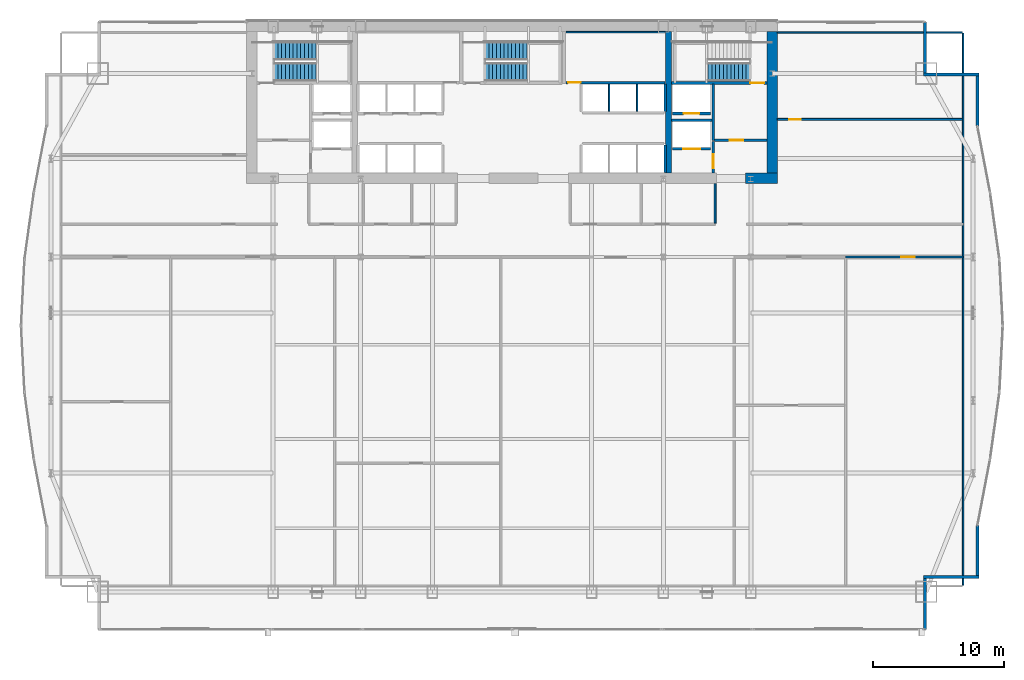
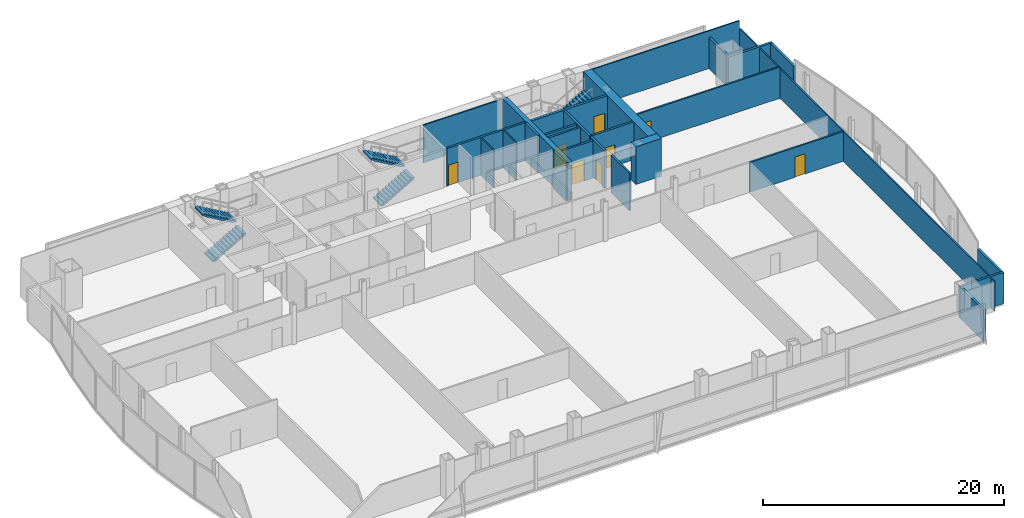
# One storey, part 33 of 37: 27 walls, 8 doors, 5 stair flights, 8 openings, 3 elements without a shape of their own.
"""IFC4 building model written with IfcOpenShell, lengths in metres."""

from ifc_helpers import new_model, si_unit, direction, frame, frame_2d, origin, place, context, subcontext, project, spatial, polyline, rectangle, outline, extrude, material, layer, layer_set, type_object, element, fill, aggregate, save


model = new_model("IFC4")

# Units and contexts
model_context = context("Model", 3, precision=1e-05, world=origin(), true_north=direction((0.0, 1.0)))
body_context = subcontext(model_context, "Body", "Model", "MODEL_VIEW")
ifc_project = project(units=[si_unit("LENGTHUNIT", "METRE"), si_unit("AREAUNIT", "SQUARE_METRE"), si_unit("VOLUMEUNIT", "CUBIC_METRE"), si_unit("PLANEANGLEUNIT", "RADIAN"), si_unit("MASSUNIT", "GRAM", prefix="KILO")], contexts=[model_context])

# Site, building, storey
site_placement = place(None, origin())
site = spatial("IfcSite", under=ifc_project, at=site_placement, CompositionType="ELEMENT")
building_placement = place(site_placement, origin())
building = spatial("IfcBuilding", under=site, at=building_placement, Name="Khoronbel Lancet Exchange", CompositionType="ELEMENT")
storey_placement = place(building_placement, frame((0.0, 0.0, 45.800048828125)))
storey = spatial("IfcBuildingStorey", under=building, at=storey_placement, Name="L10", CompositionType="ELEMENT", Elevation=45.800048828125)

# Walls
ifc_material_1 = material(Name="Concrete C80/95", Category="concrete")
ifc_layer_1 = layer(ifc_material_1, 0.800048828125, Name="Concrete C80/95")
ifc_layer_set_1 = layer_set([ifc_layer_1], Name="Concrete C80/95")
wall_type_1 = type_object("IfcWallType", Name="WL-CW1", PredefinedType="SHEAR", material=ifc_layer_set_1)
wall_1_placement = place(storey_placement, frame((56.300048828125, 52.89990234375, 0.0), z_axis=(0.0, 0.0, 1.0), x_axis=(0.0, -1.0, 0.0)))
element("IfcWall", 1, at=wall_1_placement, inside=storey, type_object=wall_type_1, Name="Level L10 rear core east shear wall", PredefinedType="SHEAR", context=body_context, shape_type="SweptSolid", body=[
    extrude(rectangle(XDim=10.7998046875, YDim=0.800048828125, at=frame_2d((5.39990234375, 0.0))), origin(), (0.0, 0.0, 1.0), 3.820068359375),
])
wall_2_placement = place(storey_placement, frame((56.699951171875, 41.699951171875, 0.0), z_axis=(0.0, 0.0, 1.0), x_axis=(-1.0, 0.0, 0.0)))
element("IfcWall", 2, at=wall_2_placement, inside=storey, type_object=wall_type_1, Name="Level L10 rear core south shear wall pier P5", PredefinedType="SHEAR", context=body_context, shape_type="SweptSolid", body=[
    extrude(rectangle(XDim=2.449951171875, YDim=0.800048828125, at=frame_2d((1.22509765625, 0.0))), origin(), (0.0, 0.0, 1.0), 3.820068359375),
])
ifc_material_2 = material(Name="Precast concrete C40/50", Category="concrete")
ifc_layer_2 = layer(ifc_material_2, 0.25, Name="Precast concrete C40/50")
ifc_layer_set_2 = layer_set([ifc_layer_2], Name="Precast concrete C40/50")
wall_type_2 = type_object("IfcWallType", Name="WL-EXT250", PredefinedType="SOLIDWALL", material=ifc_layer_set_2)
wall_3_placement = place(storey_placement, frame((67.9599609375, 53.6298828125, 0.0), z_axis=(0.0, 0.0, 1.0), x_axis=(0.0, -1.0, 0.0)))
element("IfcWall", 3, at=wall_3_placement, inside=storey, type_object=wall_type_2, Name="Level L10 notched-corner limestone pier 14", PredefinedType="SOLIDWALL", context=body_context, shape_type="SweptSolid", body=[
    extrude(rectangle(XDim=3.909912109375, YDim=0.219970703125, at=frame_2d((1.955078125, 0.0))), origin(), (0.0, 0.0, 1.0), 3.159912109375),
])
wall_4_placement = place(storey_placement, frame((67.85009765625, 49.610107421875, 0.0), z_axis=(0.0, 0.0, 1.0), x_axis=(1.0, 0.0, 0.0)))
element("IfcWall", 4, at=wall_4_placement, inside=storey, type_object=wall_type_2, Name="Level L10 notched-corner limestone pier 15", PredefinedType="SOLIDWALL", context=body_context, shape_type="SweptSolid", body=[
    extrude(rectangle(XDim=4.219970703125, YDim=0.219970703125, at=frame_2d((2.10986328125, 0.0))), origin(), (0.0, 0.0, 1.0), 3.159912109375),
])
for number, where, z_axis, x_axis, name in (
    (5, (71.9599609375, 49.5, 0.0), (0.0, 0.0, 1.0), (0.0, -1.0, 0.0), "Level L10 notched-corner limestone pier 16"),
    (6, (71.9599609375, 15.228515625, 0.0), (0.0, 0.0, 1.0), (0.0, -1.0, 0.0), "Level L10 notched-corner limestone pier 23"),
):
    element("IfcWall", number, at=place(storey_placement, frame(where, z_axis=z_axis, x_axis=x_axis)), inside=storey, type_object=wall_type_2, Name=name, PredefinedType="SOLIDWALL", context=body_context, shape_type="SweptSolid", body=[
        extrude(rectangle(XDim=3.82861328125, YDim=0.219970703125, at=frame_2d((1.914306640625, 0.0))), origin(), (0.0, 0.0, 1.0), 3.159912109375),
    ])
wall_5_placement = place(storey_placement, frame((72.070068359375, 11.2900390625, 0.0), z_axis=(0.0, 0.0, 1.0), x_axis=(-1.0, 0.0, 0.0)))
element("IfcWall", 7, at=wall_5_placement, inside=storey, type_object=wall_type_2, Name="Level L10 notched-corner limestone pier 24", PredefinedType="SOLIDWALL", context=body_context, shape_type="SweptSolid", body=[
    extrude(rectangle(XDim=4.219970703125, YDim=0.219970703125, at=frame_2d((2.10986328125, 0.0))), origin(), (0.0, 0.0, 1.0), 3.159912109375),
])
wall_6_placement = place(storey_placement, frame((67.9599609375, 11.179931640625, 0.0), z_axis=(0.0, 0.0, 1.0), x_axis=(0.0, -1.0, 0.0)))
element("IfcWall", 8, at=wall_6_placement, inside=storey, type_object=wall_type_2, Name="Level L10 notched-corner limestone pier 25", PredefinedType="SOLIDWALL", context=body_context, shape_type="SweptSolid", body=[
    extrude(rectangle(XDim=3.909912109375, YDim=0.219970703125, at=frame_2d((1.955078125, 0.0))), origin(), (0.0, 0.0, 1.0), 3.159912109375),
])
ifc_material_3 = material(Name="Acoustic Metal-Stud & Mineral-Wool Gypsum Partition 120 mm", Category="gypsum")
ifc_layer_3 = layer(ifc_material_3, 0.1201171875, Name="Acoustic Metal-Stud & Mineral-Wool Gypsum Partition 120 mm")
ifc_layer_set_3 = layer_set([ifc_layer_3], Name="Acoustic Metal-Stud & Mineral-Wool Gypsum Partition 120 mm")
wall_type_3 = type_object("IfcWallType", Name="WL-PRT120", PredefinedType="PARTITIONING", material=ifc_layer_set_3)
wall_7_placement = place(storey_placement, frame((51.949951171875, 38.280029296875, 0.0), z_axis=(0.0, 0.0, 1.0), x_axis=(0.0, 1.0, 0.0)))
element("IfcWall", 9, at=wall_7_placement, inside=storey, type_object=wall_type_3, Name="Level L10 interior partition PW-NP-1", PredefinedType="PARTITIONING", context=body_context, shape_type="SweptSolid", body=[
    extrude(rectangle(XDim=3.02001953125, YDim=0.14990234375, at=frame_2d((1.510009765625, 0.0))), origin(), (0.0, 0.0, 1.0), 3.820068359375),
])

# Wall, opening, door
wall_8_placement = place(storey_placement, frame((56.699951171875, 46.199951171875, 0.0), z_axis=(0.0, 0.0, 1.0), x_axis=(1.0, 0.0, 0.0)))
wall_8 = element("IfcWall", 10, at=wall_8_placement, inside=storey, type_object=wall_type_3, Name="Level L10 interior partition PW-NE-H", PredefinedType="PARTITIONING", context=body_context, shape_type="SweptSolid", body=[
    extrude(rectangle(XDim=14.10498046875, YDim=0.14990234375, at=frame_2d((7.052490234375, 0.0))), origin(), (0.0, 0.0, 1.0), 3.159912109375),
])
opening_1_placement = place(wall_8_placement, frame((0.89990234375, 0.0, 0.0)))
opening_1 = element("IfcOpeningElement", 11, at=opening_1_placement, cuts=wall_8, Name="Opening D5", PredefinedType="OPENING", context=body_context, shape_type="SweptSolid", body=[
    extrude(rectangle(XDim=0.89990234375, YDim=2.050048828125, at=frame_2d((0.449951171875, 1.02490234375))), frame((0.0, 0.0849609375, 0.0), z_axis=(0.0, -1.0, 0.0), x_axis=(1.0, 0.0, 0.0)), (0.0, 0.0, 1.0), 0.169921875),
])
ifc_material_4 = material(Name="Acoustic Timber Pantry & Support Door", Category="wood")
door_type_1 = type_object("IfcDoorType", Name="DR-D5", OperationType="NOTDEFINED", PredefinedType="DOOR", material=ifc_material_4)
door_1_placement = place(opening_1_placement, origin())
door_1 = element("IfcDoor", 12, at=door_1_placement, inside=storey, type_object=door_type_1, Name="NE north room door L10-1", OperationType="SINGLE_SWING_RIGHT", OverallHeight=2.050048828125, OverallWidth=0.89990234375, PredefinedType="DOOR", context=body_context, shape_type="SweptSolid", body=[
    extrude(rectangle(XDim=0.89990234375, YDim=2.050048828125, at=frame_2d((0.449951171875, 1.02490234375))), frame((0.0, 0.02490234375, 0.0), z_axis=(0.0, -1.0, 0.0), x_axis=(1.0, 0.0, 0.0)), (0.0, 0.0, 1.0), 0.050048828125),
])
fill(opening_1, door_1)

# Walls
wall_9_placement = place(storey_placement, frame((70.8701171875, 10.6650390625, 0.0), z_axis=(0.0, 0.0, 1.0), x_axis=(0.0, 1.0, 0.0)))
element("IfcWall", 13, at=wall_9_placement, inside=storey, type_object=wall_type_3, Name="Level L10 interior partition PW-LIN-E", PredefinedType="PARTITIONING", context=body_context, shape_type="SweptSolid", body=[
    extrude(rectangle(XDim=42.10986328125, YDim=0.1201171875, at=frame_2d((21.054931640625, 0.0))), origin(), (0.0, 0.0, 1.0), 3.010009765625),
])
wall_10_placement = place(storey_placement, frame((56.699951171875, 52.840087890625, 0.0), z_axis=(0.0, 0.0, 1.0), x_axis=(1.0, 0.0, 0.0)))
element("IfcWall", 14, at=wall_10_placement, inside=storey, type_object=wall_type_3, Name="Level L10 interior partition PW-LIN-NE", PredefinedType="PARTITIONING", context=body_context, shape_type="SweptSolid", body=[
    extrude(rectangle(XDim=14.10498046875, YDim=0.1201171875, at=frame_2d((7.052490234375, 0.0))), origin(), (0.0, 0.0, 1.0), 3.820068359375),
])
ifc_material_5 = material(Name="Fire-Rated Metal-Stud & Mineral-Wool Gypsum Partition 120 mm", Category="gypsum")
ifc_layer_4 = layer(ifc_material_5, 0.1201171875, Name="Fire-Rated Metal-Stud & Mineral-Wool Gypsum Partition 120 mm")
ifc_layer_set_4 = layer_set([ifc_layer_4], Name="Fire-Rated Metal-Stud & Mineral-Wool Gypsum Partition 120 mm")
wall_type_4 = type_object("IfcWallType", Name="WL-PRT120F", PredefinedType="PARTITIONING", material=ifc_layer_set_4)
for number, where, z_axis, x_axis, name in (
    (15, (43.860107421875, 46.804931640625, 0.0), (0.0, 0.0, 1.0), (0.0, 1.0, 0.0), "Level L10 interior partition CW-PH-D1"),
    (16, (46.0, 46.804931640625, 0.0), (0.0, 0.0, 1.0), (0.0, 1.0, 0.0), "Level L10 interior partition CW-PH-D2"),
):
    element("IfcWall", number, at=place(storey_placement, frame(where, z_axis=z_axis, x_axis=x_axis)), inside=storey, type_object=wall_type_4, Name=name, PredefinedType="PARTITIONING", context=body_context, shape_type="SweptSolid", body=[
        extrude(rectangle(XDim=2.090087890625, YDim=0.1201171875, at=frame_2d((1.044921875, 0.0))), origin(), (0.0, 0.0, 1.0), 3.820068359375),
    ])
wall_11_placement = place(storey_placement, frame((40.580078125, 52.860107421875, 0.0), z_axis=(0.0, 0.0, 1.0), x_axis=(1.0, 0.0, 0.0)))
element("IfcWall", 17, at=wall_11_placement, inside=storey, type_object=wall_type_4, Name="Level L10 interior partition CW-SUP-NE-N", PredefinedType="PARTITIONING", context=body_context, shape_type="SweptSolid", body=[
    extrude(rectangle(XDim=7.559814453125, YDim=0.1201171875, at=frame_2d((3.77978515625, 0.0))), origin(), (0.0, 0.0, 1.0), 3.820068359375),
])

# Wall, opening, door
ifc_material_6 = material(Name="Fire-Rated Twin-Stud Acoustic Gypsum Partition 160 mm", Category="gypsum")
ifc_layer_5 = layer(ifc_material_6, 0.159912109375, Name="Fire-Rated Twin-Stud Acoustic Gypsum Partition 160 mm")
ifc_layer_set_5 = layer_set([ifc_layer_5], Name="Fire-Rated Twin-Stud Acoustic Gypsum Partition 160 mm")
wall_type_5 = type_object("IfcWallType", Name="WL-PRT160C", PredefinedType="PARTITIONING", material=ifc_layer_set_5)
wall_12_placement = place(storey_placement, frame((61.90185546875, 35.699951171875, 0.0), z_axis=(0.0, 0.0, 1.0), x_axis=(1.0, 0.0, 0.0)))
wall_12 = element("IfcWall", 18, at=wall_12_placement, inside=storey, type_object=wall_type_5, Name="Level L10 interior partition PW-Z1S-COR6", PredefinedType="PARTITIONING", context=body_context, shape_type="SweptSolid", body=[
    extrude(rectangle(XDim=8.96826171875, YDim=0.159912109375, at=frame_2d((4.484130859375, 0.0))), origin(), (0.0, 0.0, 1.0), 3.010009765625),
])
opening_2_placement = place(wall_12_placement, frame((4.2666015625, 0.0, 0.0)))
opening_2 = element("IfcOpeningElement", 19, at=opening_2_placement, cuts=wall_12, Name="Opening D2", PredefinedType="OPENING", context=body_context, shape_type="SweptSolid", body=[
    extrude(rectangle(XDim=1.0, YDim=2.050048828125, at=frame_2d((0.5, 1.02490234375))), frame((0.0, 0.08984375, 0.0), z_axis=(0.0, -1.0, 0.0), x_axis=(1.0, 0.0, 0.0)), (0.0, 0.0, 1.0), 0.179931640625),
])
ifc_material_7 = material(Name="Acoustic Veneered Timber & Bronze Frame Door", Category="wood")
door_type_2 = type_object("IfcDoorType", Name="DR-D2", OperationType="NOTDEFINED", PredefinedType="DOOR", material=ifc_material_7)
door_2_placement = place(opening_2_placement, origin())
door_2 = element("IfcDoor", 20, at=door_2_placement, inside=storey, type_object=door_type_2, Name="Z1S bay 6 door L10-1", OperationType="SINGLE_SWING_RIGHT", OverallHeight=2.050048828125, OverallWidth=1.0, PredefinedType="DOOR", context=body_context, shape_type="SweptSolid", body=[
    extrude(rectangle(XDim=1.0, YDim=2.050048828125, at=frame_2d((0.5, 1.02490234375))), frame((0.0, 0.02490234375, 0.0), z_axis=(0.0, -1.0, 0.0), x_axis=(1.0, 0.0, 0.0)), (0.0, 0.0, 1.0), 0.050048828125),
])
fill(opening_2, door_2)

ifc_material_8 = material(Name="Autoclaved Aerated Concrete Blockwork 200 mm", Category="masonry")
ifc_layer_6 = layer(ifc_material_8, 0.199951171875, Name="Autoclaved Aerated Concrete Blockwork 200 mm")
ifc_layer_set_6 = layer_set([ifc_layer_6], Name="Autoclaved Aerated Concrete Blockwork 200 mm")
wall_type_6 = type_object("IfcWallType", Name="WL-PRT200", PredefinedType="PARTITIONING", material=ifc_layer_set_6)
wall_13_placement = place(storey_placement, frame((51.610107421875, 43.949951171875, 0.0), z_axis=(0.0, 0.0, 1.0), x_axis=(-1.0, 0.0, 0.0)))
wall_13 = element("IfcWall", 21, at=wall_13_placement, inside=storey, type_object=wall_type_6, Name="Level L10 elevator hoistway landing front wall SVLE", PredefinedType="PARTITIONING", context=body_context, shape_type="SweptSolid", body=[
    extrude(rectangle(XDim=2.920166015625, YDim=0.199951171875, at=frame_2d((1.4599609375, 0.0))), origin(), (0.0, 0.0, 1.0), 3.820068359375),
])
opening_3_placement = place(wall_13_placement, frame((0.81005859375, 0.0, 0.0)))
opening_3 = element("IfcOpeningElement", 22, at=opening_3_placement, cuts=wall_13, Name="Opening LD-SVL2", PredefinedType="OPENING", context=body_context, shape_type="SweptSolid", body=[
    extrude(rectangle(XDim=1.300048828125, YDim=2.179931640625, at=frame_2d((0.64990234375, 1.08984375))), frame((0.0, 0.10986328125, 0.0), z_axis=(0.0, -1.0, 0.0), x_axis=(1.0, 0.0, 0.0)), (0.0, 0.0, 1.0), 0.219970703125),
])
ifc_material_9 = material(Name="Heavy-Duty Bi-Parting Goods Lift Landing Door", Category="steel")
door_type_3 = type_object("IfcDoorType", Name="DR-LD-SVL", OperationType="NOTDEFINED", PredefinedType="DOOR", material=ifc_material_9)
door_3_placement = place(opening_3_placement, origin())
door_3 = element("IfcDoor", 23, at=door_3_placement, inside=storey, type_object=door_type_3, Name="Elevator landing sliding door LD-SVL2 L10", OperationType="SLIDING_TO_LEFT", OverallHeight=2.179931640625, OverallWidth=1.300048828125, PredefinedType="DOOR", context=body_context, shape_type="SweptSolid", body=[
    extrude(rectangle(XDim=1.300048828125, YDim=2.179931640625, at=frame_2d((0.64990234375, 1.08984375))), frame((0.0, 0.02490234375, 0.0), z_axis=(0.0, -1.0, 0.0), x_axis=(1.0, 0.0, 0.0)), (0.0, 0.0, 1.0), 0.050048828125),
])
fill(opening_3, door_3)

wall_14_placement = place(storey_placement, frame((51.610107421875, 46.64990234375, 0.0), z_axis=(0.0, 0.0, 1.0), x_axis=(-1.0, 0.0, 0.0)))
wall_14 = element("IfcWall", 24, at=wall_14_placement, inside=storey, type_object=wall_type_6, Name="Level L10 elevator hoistway landing front wall FFLE", PredefinedType="PARTITIONING", context=body_context, shape_type="SweptSolid", body=[
    extrude(rectangle(XDim=2.920166015625, YDim=0.199951171875, at=frame_2d((1.4599609375, 0.0))), origin(), (0.0, 0.0, 1.0), 3.820068359375),
])
opening_4_placement = place(wall_14_placement, frame((0.860107421875, 0.0, 0.0)))
opening_4 = element("IfcOpeningElement", 25, at=opening_4_placement, cuts=wall_14, Name="Opening LD-FFL2", PredefinedType="OPENING", context=body_context, shape_type="SweptSolid", body=[
    extrude(rectangle(XDim=1.199951171875, YDim=2.179931640625, at=frame_2d((0.60009765625, 1.08984375))), frame((0.0, 0.10986328125, 0.0), z_axis=(0.0, -1.0, 0.0), x_axis=(1.0, 0.0, 0.0)), (0.0, 0.0, 1.0), 0.219970703125),
])
ifc_material_10 = material(Name="Fire-Rated Stainless Bi-Parting Firefighting Lift Door", Category="steel")
door_type_4 = type_object("IfcDoorType", Name="DR-LD-FFL", OperationType="NOTDEFINED", PredefinedType="DOOR", material=ifc_material_10)
door_4_placement = place(opening_4_placement, origin())
door_4 = element("IfcDoor", 26, at=door_4_placement, inside=storey, type_object=door_type_4, Name="Elevator landing sliding door LD-FFL2 L10", OperationType="SLIDING_TO_LEFT", OverallHeight=2.179931640625, OverallWidth=1.199951171875, PredefinedType="DOOR", context=body_context, shape_type="SweptSolid", body=[
    extrude(rectangle(XDim=1.199951171875, YDim=2.179931640625, at=frame_2d((0.60009765625, 1.08984375))), frame((0.0, 0.02490234375, 0.0), z_axis=(0.0, -1.0, 0.0), x_axis=(1.0, 0.0, 0.0)), (0.0, 0.0, 1.0), 0.050048828125),
])
fill(opening_4, door_4)

# Wall
wall_15_placement = place(storey_placement, frame((51.800048828125, 44.60009765625, 0.0), z_axis=(0.0, 0.0, 1.0), x_axis=(0.0, 1.0, 0.0)))
element("IfcWall", 27, at=wall_15_placement, inside=storey, type_object=wall_type_6, Name="Level L10 interior partition CW-FFLE-W", PredefinedType="PARTITIONING", context=body_context, shape_type="SweptSolid", body=[
    extrude(rectangle(XDim=4.2998046875, YDim=0.199951171875, at=frame_2d((2.14990234375, 0.0))), origin(), (0.0, 0.0, 1.0), 3.820068359375),
])

# Wall, opening, door
wall_16_placement = place(storey_placement, frame((51.89990234375, 44.60009765625, 0.0), z_axis=(0.0, 0.0, 1.0), x_axis=(1.0, 0.0, 0.0)))
wall_16 = element("IfcWall", 28, at=wall_16_placement, inside=storey, type_object=wall_type_6, Name="Level L10 interior partition CW-FFLE-S", PredefinedType="PARTITIONING", context=body_context, shape_type="SweptSolid", body=[
    extrude(rectangle(XDim=4.0, YDim=0.199951171875, at=frame_2d((2.0, 0.0))), origin(), (0.0, 0.0, 1.0), 3.820068359375),
])
opening_5_placement = place(wall_16_placement, frame((1.14990234375, 0.0, 0.0)))
opening_5 = element("IfcOpeningElement", 29, at=opening_5_placement, cuts=wall_16, Name="Opening FD1", PredefinedType="OPENING", context=body_context, shape_type="SweptSolid", body=[
    extrude(rectangle(XDim=1.050048828125, YDim=2.14990234375, at=frame_2d((0.52490234375, 1.074951171875))), frame((0.0, 0.10986328125, 0.0), z_axis=(0.0, -1.0, 0.0), x_axis=(1.0, 0.0, 0.0)), (0.0, 0.0, 1.0), 0.219970703125),
])
ifc_material_11 = material(Name="Fire-Rated Painted Steel Door Assembly", Category="steel")
door_type_5 = type_object("IfcDoorType", Name="DR-FD1", OperationType="NOTDEFINED", PredefinedType="DOOR", material=ifc_material_11)
door_5_placement = place(opening_5_placement, origin())
door_5 = element("IfcDoor", 30, at=door_5_placement, inside=storey, type_object=door_type_5, Name="East firefighting lobby FD90S door L10-1", OperationType="SINGLE_SWING_RIGHT", OverallHeight=2.14990234375, OverallWidth=1.050048828125, PredefinedType="DOOR", context=body_context, shape_type="SweptSolid", body=[
    extrude(rectangle(XDim=1.050048828125, YDim=2.14990234375, at=frame_2d((0.52490234375, 1.074951171875))), frame((0.0, 0.02490234375, 0.0), z_axis=(0.0, -1.0, 0.0), x_axis=(1.0, 0.0, 0.0)), (0.0, 0.0, 1.0), 0.050048828125),
])
fill(opening_5, door_5)

# Wall
wall_17_placement = place(storey_placement, frame((48.6298828125, 46.1201171875, 0.0), z_axis=(0.0, 0.0, 1.0), x_axis=(1.0, 0.0, 0.0)))
element("IfcWall", 31, at=wall_17_placement, inside=storey, type_object=wall_type_6, Name="Level L10 interior partition CW-FFL2-S", PredefinedType="PARTITIONING", context=body_context, shape_type="SweptSolid", body=[
    extrude(rectangle(XDim=3.070068359375, YDim=0.199951171875, at=frame_2d((1.53515625, 0.0))), origin(), (0.0, 0.0, 1.0), 3.820068359375),
])

# Wall, opening, door
wall_18_placement = place(storey_placement, frame((51.800048828125, 42.10009765625, 0.0), z_axis=(0.0, 0.0, 1.0), x_axis=(0.0, 1.0, 0.0)))
wall_18 = element("IfcWall", 32, at=wall_18_placement, inside=storey, type_object=wall_type_6, Name="Level L10 interior partition CW-SVLE-E", PredefinedType="PARTITIONING", context=body_context, shape_type="SweptSolid", body=[
    extrude(rectangle(XDim=2.39501953125, YDim=0.199951171875, at=frame_2d((1.197509765625, 0.0))), origin(), (0.0, 0.0, 1.0), 3.820068359375),
])
opening_6_placement = place(wall_18_placement, frame((0.3798828125, 0.0, 0.0)))
opening_6 = element("IfcOpeningElement", 33, at=opening_6_placement, cuts=wall_18, Name="Opening FD1", PredefinedType="OPENING", context=body_context, shape_type="SweptSolid", body=[
    extrude(rectangle(XDim=1.050048828125, YDim=2.14990234375, at=frame_2d((0.52490234375, 1.074951171875))), frame((0.0, 0.10986328125, 0.0), z_axis=(0.0, -1.0, 0.0), x_axis=(1.0, 0.0, 0.0)), (0.0, 0.0, 1.0), 0.219970703125),
])
door_6_placement = place(opening_6_placement, origin())
door_6 = element("IfcDoor", 34, at=door_6_placement, inside=storey, type_object=door_type_5, Name="East service lift lobby door L10-1", OperationType="SINGLE_SWING_LEFT", OverallHeight=2.14990234375, OverallWidth=1.050048828125, PredefinedType="DOOR", context=body_context, shape_type="SweptSolid", body=[
    extrude(rectangle(XDim=1.050048828125, YDim=2.14990234375, at=frame_2d((0.52490234375, 1.074951171875))), frame((0.0, 0.02490234375, 0.0), z_axis=(0.0, -1.0, 0.0), x_axis=(1.0, 0.0, 0.0)), (0.0, 0.0, 1.0), 0.050048828125),
])
fill(opening_6, door_6)

# Walls
wall_19_placement = place(storey_placement, frame((48.139892578125, 46.804931640625, 0.0), z_axis=(0.0, 0.0, 1.0), x_axis=(0.0, 1.0, 0.0)))
element("IfcWall", 35, at=wall_19_placement, inside=storey, type_object=wall_type_6, Name="Level L10 interior partition CW-PH-E", PredefinedType="PARTITIONING", context=body_context, shape_type="SweptSolid", body=[
    extrude(rectangle(XDim=2.090087890625, YDim=0.199951171875, at=frame_2d((1.044921875, 0.0))), origin(), (0.0, 0.0, 1.0), 3.820068359375),
])
wall_20_placement = place(storey_placement, frame((48.139892578125, 42.14990234375, 0.0), z_axis=(0.0, 0.0, 1.0), x_axis=(0.0, 1.0, 0.0)))
element("IfcWall", 36, at=wall_20_placement, inside=storey, type_object=wall_type_6, Name="Level L10 interior partition CW-PX-E", PredefinedType="PARTITIONING", context=body_context, shape_type="SweptSolid", body=[
    extrude(rectangle(XDim=2.09521484375, YDim=0.199951171875, at=frame_2d((1.047607421875, 0.0))), origin(), (0.0, 0.0, 1.0), 3.820068359375),
])

# Wall, opening, door
wall_21_placement = place(storey_placement, frame((40.580078125, 49.0, 0.0), z_axis=(0.0, 0.0, 1.0), x_axis=(1.0, 0.0, 0.0)))
wall_21 = element("IfcWall", 37, at=wall_21_placement, inside=storey, type_object=wall_type_6, Name="Level L10 interior partition CW-SUP-NE-S", PredefinedType="PARTITIONING", context=body_context, shape_type="SweptSolid", body=[
    extrude(rectangle(XDim=7.559814453125, YDim=0.199951171875, at=frame_2d((3.77978515625, 0.0))), origin(), (0.0, 0.0, 1.0), 3.820068359375),
])
opening_7_placement = place(wall_21_placement, frame((0.159912109375, 0.0, 0.0)))
opening_7 = element("IfcOpeningElement", 38, at=opening_7_placement, cuts=wall_21, Name="Opening FD3", PredefinedType="OPENING", context=body_context, shape_type="SweptSolid", body=[
    extrude(rectangle(XDim=0.949951171875, YDim=2.10009765625, at=frame_2d((0.47509765625, 1.050048828125))), frame((0.0, 0.10986328125, 0.0), z_axis=(0.0, -1.0, 0.0), x_axis=(1.0, 0.0, 0.0)), (0.0, 0.0, 1.0), 0.219970703125),
])
ifc_material_12 = material(Name="Fire-Rated Steel Plant & Riser Door Assembly", Category="steel")
door_type_6 = type_object("IfcDoorType", Name="DR-FD3", OperationType="NOTDEFINED", PredefinedType="DOOR", material=ifc_material_12)
door_7_placement = place(opening_7_placement, origin())
door_7 = element("IfcDoor", 39, at=door_7_placement, inside=storey, type_object=door_type_6, Name="Core NE support room door L10-1", OperationType="SINGLE_SWING_LEFT", OverallHeight=2.10009765625, OverallWidth=0.949951171875, PredefinedType="DOOR", context=body_context, shape_type="SweptSolid", body=[
    extrude(rectangle(XDim=0.949951171875, YDim=2.10009765625, at=frame_2d((0.47509765625, 1.050048828125))), frame((0.0, 0.02490234375, 0.0), z_axis=(0.0, -1.0, 0.0), x_axis=(1.0, 0.0, 0.0)), (0.0, 0.0, 1.0), 0.050048828125),
])
fill(opening_7, door_7)

# Wall
ifc_layer_7 = layer(ifc_material_1, 0.449951171875, Name="Concrete C80/95")
ifc_layer_set_7 = layer_set([ifc_layer_7], Name="Concrete C80/95")
wall_type_7 = type_object("IfcWallType", Name="WL-SW1", PredefinedType="SHEAR", material=ifc_layer_set_7)
wall_22_placement = place(storey_placement, frame((48.39990234375, 42.10009765625, 0.0), z_axis=(0.0, 0.0, 1.0), x_axis=(0.0, 1.0, 0.0)))
element("IfcWall", 40, at=wall_22_placement, inside=storey, type_object=wall_type_7, Name="Level L10 rear core internal spine shear wall IE", PredefinedType="SHEAR", context=body_context, shape_type="SweptSolid", body=[
    extrude(rectangle(XDim=10.7998046875, YDim=0.449951171875, at=frame_2d((5.39990234375, 0.0))), origin(), (0.0, 0.0, 1.0), 3.820068359375),
])

# Wall, opening, door
ifc_material_13 = material(Name="Concrete C60/75", Category="concrete")
ifc_layer_8 = layer(ifc_material_13, 0.260009765625, Name="Concrete C60/75")
ifc_layer_set_8 = layer_set([ifc_layer_8], Name="Concrete C60/75")
wall_type_8 = type_object("IfcWallType", Name="WL-SW3", PredefinedType="SHEAR", material=ifc_layer_set_8)
wall_23_placement = place(storey_placement, frame((48.6298828125, 48.97998046875, 0.0), z_axis=(0.0, 0.0, 1.0), x_axis=(1.0, 0.0, 0.0)))
wall_23 = element("IfcWall", 41, at=wall_23_placement, inside=storey, type_object=wall_type_8, Name="Level L10 east stairwell structural south wall", PredefinedType="SHEAR", context=body_context, shape_type="SweptSolid", body=[
    extrude(rectangle(XDim=7.27001953125, YDim=0.239990234375, at=frame_2d((3.635009765625, 0.0))), origin(), (0.0, 0.0, 1.0), 3.820068359375),
])
opening_8_placement = place(wall_23_placement, frame((6.0, 0.0, 0.0)))
opening_8 = element("IfcOpeningElement", 42, at=opening_8_placement, cuts=wall_23, Name="Opening SD1", PredefinedType="OPENING", context=body_context, shape_type="SweptSolid", body=[
    extrude(rectangle(XDim=1.050048828125, YDim=2.14990234375, at=frame_2d((0.52490234375, 1.074951171875))), frame((0.0, 0.1298828125, 0.0), z_axis=(0.0, -1.0, 0.0), x_axis=(1.0, 0.0, 0.0)), (0.0, 0.0, 1.0), 0.260009765625),
])
ifc_material_14 = material(Name="Fire-Rated Steel Stairwell Door Assembly", Category="steel")
door_type_7 = type_object("IfcDoorType", Name="DR-SD1", OperationType="NOTDEFINED", PredefinedType="DOOR", material=ifc_material_14)
door_8_placement = place(opening_8_placement, origin())
door_8 = element("IfcDoor", 43, at=door_8_placement, inside=storey, type_object=door_type_7, Name="Protected exit stair ST2 door L10", OperationType="SINGLE_SWING_RIGHT", OverallHeight=2.14990234375, OverallWidth=1.050048828125, PredefinedType="DOOR", context=body_context, shape_type="SweptSolid", body=[
    extrude(rectangle(XDim=1.050048828125, YDim=2.14990234375, at=frame_2d((0.52490234375, 1.074951171875))), frame((0.0, 0.02490234375, 0.0), z_axis=(0.0, -1.0, 0.0), x_axis=(1.0, 0.0, 0.0)), (0.0, 0.0, 1.0), 0.050048828125),
])
fill(opening_8, door_8)

# Stair, stair flights
ifc_material_15 = material(Name="Concrete C40/50", Category="concrete")
stair_type = type_object("IfcStairType", Name="STR-CORE150", PredefinedType="HALF_TURN_STAIR", material=ifc_material_15)
stair_1_placement = place(storey_placement, origin())
stair_1 = element("IfcStair", 44, at=stair_1_placement, inside=storey, type_object=stair_type, Name="L10 Protected Exit Stair ST1", PredefinedType="HALF_TURN_STAIR")
stair_flight_type = type_object("IfcStairFlightType", Name="STF-150", PredefinedType="STRAIGHT", material=ifc_material_15)
stair_flight_1_placement = place(storey_placement, frame((18.300048828125, 49.81005859375, 0.0), z_axis=(0.0, 0.0, 1.0), x_axis=(1.0, 0.0, 0.0)))
stair_flight_1 = element("IfcStairFlight", 45, at=stair_flight_1_placement, type_object=stair_flight_type, Name="ST1 flight 1", NumberOfRisers=12, NumberOfTreads=11, PredefinedType="STRAIGHT", RiserHeight=0.166666667, TreadLength=0.29, context=body_context, shape_type="SweptSolid", body=[
    extrude(outline(polyline([(0.0, 0.0), (0.0, 0.166748046875), (0.2900390625, 0.166748046875), (0.2900390625, 0.333251953125), (0.580078125, 0.333251953125), (0.580078125, 0.5), (0.8701171875, 0.5), (0.8701171875, 0.666748046875), (1.159912109375, 0.666748046875), (1.159912109375, 0.833251953125), (1.449951171875, 0.833251953125), (1.449951171875, 1.0), (1.739990234375, 1.0), (1.739990234375, 1.166748046875), (2.030029296875, 1.166748046875), (2.030029296875, 1.333251953125), (2.320068359375, 1.333251953125), (2.320068359375, 1.5), (2.610107421875, 1.5), (2.610107421875, 1.666748046875), (2.89990234375, 1.666748046875), (2.89990234375, 1.833251953125), (3.18994140625, 1.833251953125), (3.18994140625, 2.0), (3.18994140625, 1.660400390625), (0.30078125, 0.0), (0.0, 0.0)])), frame((0.0, 0.68994140625, 0.0), z_axis=(0.0, -1.0, 0.0), x_axis=(1.0, 0.0, 0.0)), (0.0, 0.0, 1.0), 1.3798828125),
])
stair_flight_2_placement = place(storey_placement, frame((21.489990234375, 51.409912109375, 2.0), z_axis=(0.0, 0.0, 1.0), x_axis=(-1.0, 0.0, 0.0)))
stair_flight_2 = element("IfcStairFlight", 46, at=stair_flight_2_placement, type_object=stair_flight_type, Name="ST1 flight 2", NumberOfRisers=12, NumberOfTreads=11, PredefinedType="STRAIGHT", RiserHeight=0.166666667, TreadLength=0.29, context=body_context, shape_type="SweptSolid", body=[
    extrude(outline(polyline([(0.0, 0.0), (0.0, 0.166748046875), (0.2900390625, 0.166748046875), (0.2900390625, 0.333251953125), (0.580078125, 0.333251953125), (0.580078125, 0.5), (0.8701171875, 0.5), (0.8701171875, 0.666748046875), (1.159912109375, 0.666748046875), (1.159912109375, 0.833251953125), (1.449951171875, 0.833251953125), (1.449951171875, 1.0), (1.739990234375, 1.0), (1.739990234375, 1.166748046875), (2.030029296875, 1.166748046875), (2.030029296875, 1.333251953125), (2.320068359375, 1.333251953125), (2.320068359375, 1.5), (2.610107421875, 1.5), (2.610107421875, 1.666748046875), (2.89990234375, 1.666748046875), (2.89990234375, 1.833251953125), (3.18994140625, 1.833251953125), (3.18994140625, 2.0), (3.18994140625, 1.660400390625), (0.30078125, 0.0), (0.0, 0.0)])), frame((0.0, 0.68994140625, 0.0), z_axis=(0.0, -1.0, 0.0), x_axis=(1.0, 0.0, 0.0)), (0.0, 0.0, 1.0), 1.3798828125),
])
aggregate(stair_1, [stair_flight_1, stair_flight_2])

# Stair, stair flight
stair_2_placement = place(storey_placement, origin())
stair_2 = element("IfcStair", 47, at=stair_2_placement, inside=storey, type_object=stair_type, Name="L10 Protected Exit Stair ST2", PredefinedType="HALF_TURN_STAIR")
stair_flight_3_placement = place(storey_placement, frame((51.409912109375, 49.81005859375, 2.0), z_axis=(0.0, 0.0, 1.0), x_axis=(1.0, 0.0, 0.0)))
stair_flight_3 = element("IfcStairFlight", 48, at=stair_flight_3_placement, type_object=stair_flight_type, Name="ST2 flight 2", NumberOfRisers=12, NumberOfTreads=11, PredefinedType="STRAIGHT", RiserHeight=0.166666667, TreadLength=0.29, context=body_context, shape_type="SweptSolid", body=[
    extrude(outline(polyline([(0.0, 0.0), (0.0, 0.166748046875), (0.2900390625, 0.166748046875), (0.2900390625, 0.333251953125), (0.580078125, 0.333251953125), (0.580078125, 0.5), (0.8701171875, 0.5), (0.8701171875, 0.666748046875), (1.159912109375, 0.666748046875), (1.159912109375, 0.833251953125), (1.449951171875, 0.833251953125), (1.449951171875, 1.0), (1.739990234375, 1.0), (1.739990234375, 1.166748046875), (2.030029296875, 1.166748046875), (2.030029296875, 1.333251953125), (2.320068359375, 1.333251953125), (2.320068359375, 1.5), (2.610107421875, 1.5), (2.610107421875, 1.666748046875), (2.89990234375, 1.666748046875), (2.89990234375, 1.833251953125), (3.18994140625, 1.833251953125), (3.18994140625, 2.0), (3.18994140625, 1.660400390625), (0.30078125, 0.0), (0.0, 0.0)])), frame((0.0, 0.68994140625, 0.0), z_axis=(0.0, -1.0, 0.0), x_axis=(1.0, 0.0, 0.0)), (0.0, 0.0, 1.0), 1.3798828125),
])
aggregate(stair_2, [stair_flight_3])

# Stair, stair flights
stair_3_placement = place(storey_placement, origin())
stair_3 = element("IfcStair", 49, at=stair_3_placement, inside=storey, type_object=stair_type, Name="L10 Protected Exit Stair ST3", PredefinedType="HALF_TURN_STAIR")
stair_flight_4_placement = place(storey_placement, frame((34.39990234375, 49.81005859375, 0.0), z_axis=(0.0, 0.0, 1.0), x_axis=(1.0, 0.0, 0.0)))
stair_flight_4 = element("IfcStairFlight", 50, at=stair_flight_4_placement, type_object=stair_flight_type, Name="ST3 flight 1", NumberOfRisers=12, NumberOfTreads=11, PredefinedType="STRAIGHT", RiserHeight=0.166666667, TreadLength=0.29, context=body_context, shape_type="SweptSolid", body=[
    extrude(outline(polyline([(0.0, 0.0), (0.0, 0.166748046875), (0.2900390625, 0.166748046875), (0.2900390625, 0.333251953125), (0.580078125, 0.333251953125), (0.580078125, 0.5), (0.8701171875, 0.5), (0.8701171875, 0.666748046875), (1.159912109375, 0.666748046875), (1.159912109375, 0.833251953125), (1.449951171875, 0.833251953125), (1.449951171875, 1.0), (1.739990234375, 1.0), (1.739990234375, 1.166748046875), (2.030029296875, 1.166748046875), (2.030029296875, 1.333251953125), (2.320068359375, 1.333251953125), (2.320068359375, 1.5), (2.610107421875, 1.5), (2.610107421875, 1.666748046875), (2.89990234375, 1.666748046875), (2.89990234375, 1.833251953125), (3.18994140625, 1.833251953125), (3.18994140625, 2.0), (3.18994140625, 1.660400390625), (0.30078125, 0.0), (0.0, 0.0)])), frame((0.0, 0.68994140625, 0.0), z_axis=(0.0, -1.0, 0.0), x_axis=(1.0, 0.0, 0.0)), (0.0, 0.0, 1.0), 1.3798828125),
])
stair_flight_5_placement = place(storey_placement, frame((37.590087890625, 51.409912109375, 2.0), z_axis=(0.0, 0.0, 1.0), x_axis=(-1.0, 0.0, 0.0)))
stair_flight_5 = element("IfcStairFlight", 51, at=stair_flight_5_placement, type_object=stair_flight_type, Name="ST3 flight 2", NumberOfRisers=12, NumberOfTreads=11, PredefinedType="STRAIGHT", RiserHeight=0.166666667, TreadLength=0.29, context=body_context, shape_type="SweptSolid", body=[
    extrude(outline(polyline([(0.0, 0.0), (0.0, 0.166748046875), (0.2900390625, 0.166748046875), (0.2900390625, 0.333251953125), (0.580078125, 0.333251953125), (0.580078125, 0.5), (0.8701171875, 0.5), (0.8701171875, 0.666748046875), (1.159912109375, 0.666748046875), (1.159912109375, 0.833251953125), (1.449951171875, 0.833251953125), (1.449951171875, 1.0), (1.739990234375, 1.0), (1.739990234375, 1.166748046875), (2.030029296875, 1.166748046875), (2.030029296875, 1.333251953125), (2.320068359375, 1.333251953125), (2.320068359375, 1.5), (2.610107421875, 1.5), (2.610107421875, 1.666748046875), (2.89990234375, 1.666748046875), (2.89990234375, 1.833251953125), (3.18994140625, 1.833251953125), (3.18994140625, 2.0), (3.18994140625, 1.660400390625), (0.30078125, 0.0), (0.0, 0.0)])), frame((0.0, 0.68994140625, 0.0), z_axis=(0.0, -1.0, 0.0), x_axis=(1.0, 0.0, 0.0)), (0.0, 0.0, 1.0), 1.3798828125),
])
aggregate(stair_3, [stair_flight_4, stair_flight_5])

save(model, "model.ifc")
